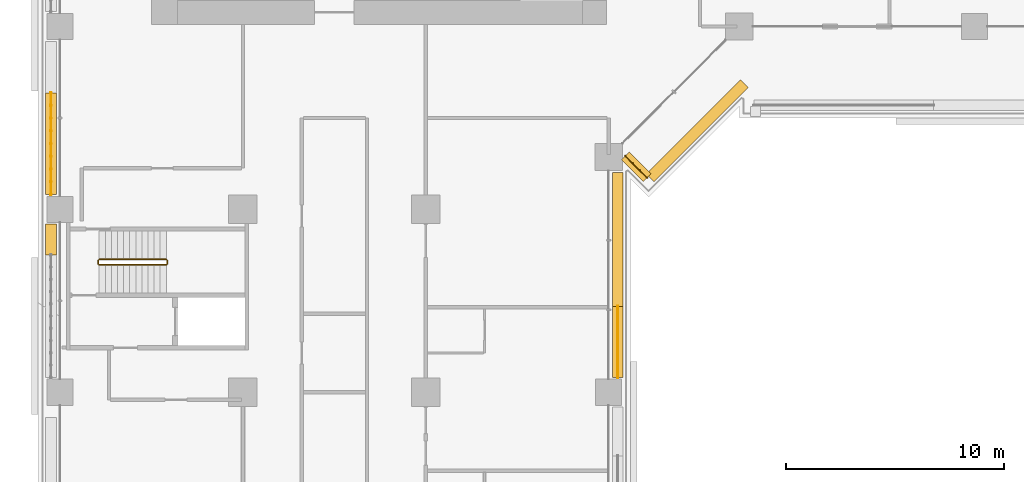
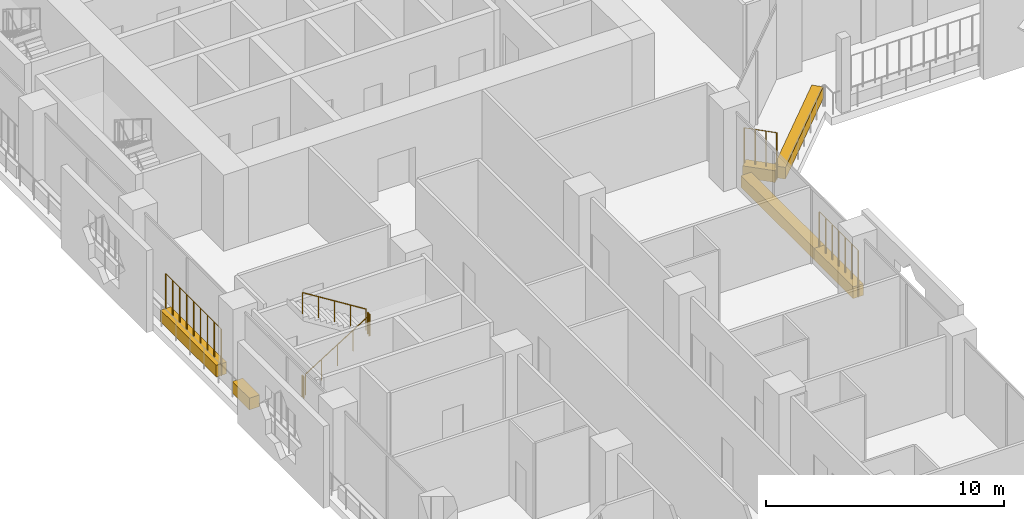
# One storey, part 22 of 28: 7 railings, 6 coverings.
"""IFC4 building model written with IfcOpenShell, lengths in metres."""

import ifcopenshell
import ifcopenshell.guid

model = None  # the IFC model being written
_history = None  # IfcOwnerHistory: only IFC2X3 demands one
_inside = {}  # id of a spatial element -> (the spatial element, [elements in it])
_under = {}  # id of a project, library or spatial element -> (it, [spatial elements below it])
_declared = {}  # id of a project -> (the project, [libraries it declares])
_typed = {}  # id of a type object -> (the type object, [elements of that type])
_made_of = {}  # id of a material, layer set ... -> (it, [elements and type objects made of it])


def new_model(schema):
    """Start an empty IFC model of exactly this schema.

    Asked for "IFC4X3", IfcOpenShell would pick the latest addendum, in which some entities
    have other attributes; the version numbers below select the first issue.
    IFC2X3 requires an IfcOwnerHistory on every rooted entity: one is made here for all.
    """
    global model, _history
    if schema == "IFC4X3":
        model = ifcopenshell.file(schema_version=(4, 3, 0, 0))
    else:
        model = ifcopenshell.file(schema=schema)
    _inside.clear()
    _under.clear()
    _declared.clear()
    _typed.clear()
    _made_of.clear()
    _history = None
    if model.schema == "IFC2X3":
        org = make("IfcOrganization", Name="unknown")
        user = make(
            "IfcPersonAndOrganization",
            ThePerson=make("IfcPerson", FamilyName="unknown"),
            TheOrganization=org,
        )
        app = make(
            "IfcApplication",
            ApplicationDeveloper=org,
            Version="unknown",
            ApplicationFullName="unknown",
            ApplicationIdentifier="unknown",
        )
        _history = make(
            "IfcOwnerHistory",
            OwningUser=user,
            OwningApplication=app,
            ChangeAction="ADDED",
            CreationDate=0,
        )
    return model


def make(cls, **values):
    """One entity of the class cls with the attributes given. An attribute that is None is left unset."""
    return model.create_entity(
        cls, **{name: value for name, value in values.items() if value is not None}
    )


def rooted(cls, **values):
    """An entity with a GlobalId (a new one), such as an element, a storey or a relation."""
    return make(cls, GlobalId=ifcopenshell.guid.new(), OwnerHistory=_history, **values)


def si_unit(unit_type, name, prefix=None):
    """IfcSIUnit, for example si_unit("LENGTHUNIT", "METRE", prefix="MILLI")."""
    return make("IfcSIUnit", UnitType=unit_type, Prefix=prefix, Name=name)


def assignment(units):
    """IfcUnitAssignment: the units of a project."""
    return None if units is None else make("IfcUnitAssignment", Units=units)


def point(xyz):
    """IfcCartesianPoint."""
    return None if xyz is None else make("IfcCartesianPoint", Coordinates=xyz)


def direction(xyz):
    """IfcDirection."""
    return None if xyz is None else make("IfcDirection", DirectionRatios=xyz)


def frame(location, z_axis=None, x_axis=None):
    """IfcAxis2Placement3D, a coordinate frame: its origin and axes. An axis left out is left unset."""
    return make(
        "IfcAxis2Placement3D",
        Location=point(location),
        Axis=direction(z_axis),
        RefDirection=direction(x_axis),
    )


def frame_2d(location, x_axis=None):
    """IfcAxis2Placement2D, a coordinate frame in the plane: its origin and x axis."""
    return make(
        "IfcAxis2Placement2D", Location=point(location), RefDirection=direction(x_axis)
    )


def origin():
    """The frame at (0, 0, 0) with its axes left unset."""
    return frame((0.0, 0.0, 0.0))


def origin_2d():
    """The frame at (0, 0) in the plane with its x axis left unset."""
    return frame_2d((0.0, 0.0))


def place(relative_to, where):
    """IfcLocalPlacement: puts the frame where relative to a parent placement (None: the world)."""
    return make(
        "IfcLocalPlacement", PlacementRelTo=relative_to, RelativePlacement=where
    )


def context(
    kind, dimensions, precision=None, world=None, true_north=None, identifier=None
):
    """IfcGeometricRepresentationContext, for example the 3D "Model" context."""
    return make(
        "IfcGeometricRepresentationContext",
        ContextIdentifier=identifier,
        ContextType=kind,
        CoordinateSpaceDimension=dimensions,
        Precision=precision,
        WorldCoordinateSystem=world,
        TrueNorth=true_north,
    )


def subcontext(parent, identifier, kind, view, scale=None):
    """IfcGeometricRepresentationSubContext, for example "Body" below "Model"."""
    return make(
        "IfcGeometricRepresentationSubContext",
        ContextIdentifier=identifier,
        ContextType=kind,
        ParentContext=parent,
        TargetScale=scale,
        TargetView=view,
    )


def project(units=None, contexts=None):
    """IfcProject with its units and contexts."""
    return rooted(
        "IfcProject",
        Name="project",
        RepresentationContexts=contexts,
        UnitsInContext=assignment(units),
    )


def spatial(cls, under=None, at=None, **own):
    """A site, building, storey or space (cls), placed at a placement, below another one or the project."""
    s = rooted(cls, ObjectPlacement=at, **own)
    if under is not None:
        _under.setdefault(under.id(), (under, []))[1].append(s)
    return s


def profile(cls, at=None, kind="AREA", **sizes):
    """A parametric profile (cls). Its sizes go by their IFC names, for example OverallWidth=200.0."""
    return make(cls, ProfileType=kind, Position=at, **sizes)


def rectangle(**sizes):
    """IfcRectangleProfileDef."""
    return profile("IfcRectangleProfileDef", **sizes)


def circle(**sizes):
    """IfcCircleProfileDef."""
    return profile("IfcCircleProfileDef", **sizes)


def extrude(swept, where, along, depth):
    """IfcExtrudedAreaSolid: the profile swept, set in the frame where, extruded along a direction by depth."""
    return make(
        "IfcExtrudedAreaSolid",
        SweptArea=swept,
        Position=where,
        ExtrudedDirection=direction(along),
        Depth=depth,
    )


def shape(context_of_items, identifier, shape_type, items):
    """IfcShapeRepresentation: the items that make up one representation, for example the "Body"."""
    return make(
        "IfcShapeRepresentation",
        ContextOfItems=context_of_items,
        RepresentationIdentifier=identifier,
        RepresentationType=shape_type,
        Items=items,
    )


def material(Name=None, Category=None):
    """IfcMaterial."""
    return make("IfcMaterial", Name=Name, Category=Category)


def material_profile(
    of_material, cross_section, Name=None, Category=None, Priority=None
):
    """IfcMaterialProfile: a cross section and its material."""
    return make(
        "IfcMaterialProfile",
        Name=Name,
        Material=of_material,
        Profile=cross_section,
        Priority=Priority,
        Category=Category,
    )


def profile_set(profiles, Name=None, composite=None):
    """IfcMaterialProfileSet."""
    return make(
        "IfcMaterialProfileSet",
        Name=Name,
        MaterialProfiles=profiles,
        CompositeProfile=composite,
    )


def made_of(thing, what):
    """Note that an element or type object is made of a material, layer set ...; save() writes the relation."""
    if what is not None:
        _made_of.setdefault(what.id(), (what, []))[1].append(thing)
    return thing


def type_object(cls, material=None, **own):
    """A type object (cls), such as IfcWallType, which elements share."""
    return made_of(rooted(cls, **own), material)


def element(
    cls,
    number,
    at=None,
    inside=None,
    cuts=None,
    type_object=None,
    material=None,
    context=None,
    identifier="Body",
    shape_type=None,
    held_by="IfcProductDefinitionShape",
    body=None,
    shapes=None,
    **own,
):
    """One element of the class cls, such as IfcWall. Its Tag is "e" and its number.

    at: its placement. inside: the storey or other place that contains it. cuts: it is an
    opening in that element (IfcRelVoidsElement). A single representation is given by context,
    identifier, shape_type and body (its items); several are given by shapes. held_by: the class
    of the entity that holds the representations. save() writes the other relations.
    """
    e = rooted(cls, Tag="e%d" % number, ObjectPlacement=at, **own)
    if body is not None:
        shapes = [shape(context, identifier, shape_type, body)]
    if shapes is not None:
        e.Representation = make(held_by, Representations=shapes)
    if inside is not None:
        _inside.setdefault(inside.id(), (inside, []))[1].append(e)
    if cuts is not None:
        rooted(
            "IfcRelVoidsElement", RelatingBuildingElement=cuts, RelatedOpeningElement=e
        )
    if type_object is not None:
        _typed.setdefault(type_object.id(), (type_object, []))[1].append(e)
    return made_of(e, material)


def aggregate(whole, parts):
    """IfcRelAggregates: a whole, such as a stair, and the parts it consists of."""
    return rooted("IfcRelAggregates", RelatingObject=whole, RelatedObjects=parts)


def save(model, path):
    """Write the relations noted so far, then the file.

    IfcRelAggregates (storeys below a building ...), IfcRelContainedInSpatialStructure (elements
    in a storey), IfcRelDefinesByType, IfcRelAssociatesMaterial and IfcRelDeclares: one each for
    every whole, place, type object, material and project.
    """
    for whole, parts in _under.values():
        aggregate(whole, parts)
    for where, things in _inside.values():
        rooted(
            "IfcRelContainedInSpatialStructure",
            RelatedElements=things,
            RelatingStructure=where,
        )
    for kind, things in _typed.values():
        rooted("IfcRelDefinesByType", RelatedObjects=things, RelatingType=kind)
    for what, things in _made_of.values():
        rooted("IfcRelAssociatesMaterial", RelatedObjects=things, RelatingMaterial=what)
    for by, libraries in _declared.values():
        rooted("IfcRelDeclares", RelatingContext=by, RelatedDefinitions=libraries)
    model.write(path)


model = new_model("IFC4")

# Units and contexts
model_context = context("Model", 3, precision=1e-05, world=origin(), true_north=direction((0.0, 1.0)))
body_context = subcontext(model_context, "Body", "Model", "MODEL_VIEW")
ifc_project = project(units=[si_unit("LENGTHUNIT", "METRE"), si_unit("AREAUNIT", "SQUARE_METRE"), si_unit("VOLUMEUNIT", "CUBIC_METRE"), si_unit("PLANEANGLEUNIT", "RADIAN"), si_unit("MASSUNIT", "GRAM", prefix="KILO")], contexts=[model_context])

# Site, building, storey
site_placement = place(None, origin())
site = spatial("IfcSite", under=ifc_project, at=site_placement, CompositionType="ELEMENT")
building_placement = place(site_placement, origin())
building = spatial("IfcBuilding", under=site, at=building_placement, Name="Kawkab Arch Medical Tower", CompositionType="ELEMENT")
storey_placement = place(building_placement, frame((0.0, 0.0, 68.60009765625)))
storey = spatial("IfcBuildingStorey", under=building, at=storey_placement, Name="L15", CompositionType="ELEMENT", Elevation=68.60009765625)

# Coverings
ifc_material_1 = material(Name="Planting soil in a precast trough", Category="concrete")
ifc_material_profile = material_profile(ifc_material_1, rectangle(XDim=0.5, YDim=0.60009765625, at=origin_2d()), Name="Trough 500x600")
ifc_profile_set = profile_set([ifc_material_profile], Name="Planting soil in a precast trough")
covering_type = type_object("IfcCoveringType", Name="Planter trough 500 x 600", PredefinedType="USERDEFINED", material=ifc_profile_set)
covering_1_placement = place(storey_placement, frame((-0.419921875, -35.699951171875, 0.2998046875), z_axis=(0.0, 1.0, 0.0), x_axis=(-1.0, 0.0, 0.0)))
element("IfcCovering", 1, at=covering_1_placement, inside=storey, type_object=covering_type, Name="Planter L15.LOG-01-01.10", ObjectType="PLANTER", PredefinedType="USERDEFINED", context=body_context, shape_type="SweptSolid", body=[
    extrude(rectangle(XDim=0.5, YDim=0.60009765625, at=origin_2d()), origin(), (0.0, 0.0, 1.0), 1.419921875),
])
covering_2_placement = place(storey_placement, frame((-0.419921875, -32.919921875, 0.2998046875), z_axis=(0.0, 1.0, 0.0), x_axis=(-1.0, 0.0, 0.0)))
element("IfcCovering", 2, at=covering_2_placement, inside=storey, type_object=covering_type, Name="Planter L15.LOG-01-01.11", ObjectType="PLANTER", PredefinedType="USERDEFINED", context=body_context, shape_type="SweptSolid", body=[
    extrude(rectangle(XDim=0.5, YDim=0.60009765625, at=origin_2d()), origin(), (0.0, 0.0, 1.0), 4.676025390625),
])
covering_3_placement = place(storey_placement, frame((31.43701171875, -27.820068359375, 0.2998046875), z_axis=(-0.707206504313, -0.707007043994, 0.0), x_axis=(0.707007043994, -0.707206504313, 0.0)))
element("IfcCovering", 3, at=covering_3_placement, inside=storey, type_object=covering_type, Name="Planter L15.LOG-01-01.42", ObjectType="PLANTER", PredefinedType="USERDEFINED", context=body_context, shape_type="SweptSolid", body=[
    extrude(rectangle(XDim=0.5, YDim=0.60009765625, at=origin_2d()), origin(), (0.0, 0.0, 1.0), 6.1201171875),
])
covering_4_placement = place(storey_placement, frame((26.967041015625, -32.14697265625, 0.2998046875), z_axis=(-0.707192746389, 0.707020805532, 0.0), x_axis=(-0.707020805532, -0.707192746389, 0.0)))
element("IfcCovering", 4, at=covering_4_placement, inside=storey, type_object=covering_type, Name="Planter L15.LOG-01-01.43", ObjectType="PLANTER", PredefinedType="USERDEFINED", context=body_context, shape_type="SweptSolid", body=[
    extrude(rectangle(XDim=0.5, YDim=0.60009765625, at=origin_2d()), origin(), (0.0, 0.0, 1.0), 1.419921875),
])
covering_5_placement = place(storey_placement, frame((25.6201171875, -31.905029296875, 0.2998046875), z_axis=(0.0, -1.0, 0.0), x_axis=(1.0, 0.0, 0.0)))
element("IfcCovering", 5, at=covering_5_placement, inside=storey, type_object=covering_type, Name="Planter L15.LOG-01-01.44", ObjectType="PLANTER", PredefinedType="USERDEFINED", context=body_context, shape_type="SweptSolid", body=[
    extrude(rectangle(XDim=0.5, YDim=0.60009765625, at=origin_2d()), origin(), (0.0, 0.0, 1.0), 6.14794921875),
])
covering_6_placement = place(storey_placement, frame((25.6201171875, -38.052978515625, 0.2998046875), z_axis=(0.0, -1.0, 0.0), x_axis=(1.0, 0.0, 0.0)))
element("IfcCovering", 6, at=covering_6_placement, inside=storey, type_object=covering_type, Name="Planter L15.LOG-01-01.45", ObjectType="PLANTER", PredefinedType="USERDEFINED", context=body_context, shape_type="SweptSolid", body=[
    extrude(rectangle(XDim=0.5, YDim=0.60009765625, at=origin_2d()), origin(), (0.0, 0.0, 1.0), 3.26708984375),
])

# Railings
ifc_material_2 = material(Name="Bronze anodised aluminium trellis for climbing plants", Category="aluminium")
railing_type_1 = type_object("IfcRailingType", Name="Planting trellis 2400", PredefinedType="USERDEFINED", material=ifc_material_2)
railing_1_placement = place(storey_placement, frame((-0.419921875, -32.919921875, 0.0)))
element("IfcRailing", 7, at=railing_1_placement, inside=storey, type_object=railing_type_1, Name="Planting trellis L15.LOG-01-01.11", ObjectType="TRELLIS", PredefinedType="USERDEFINED", context=body_context, shape_type="SweptSolid", body=[
    extrude(circle(Radius=0.01513671875, at=origin_2d()), frame((0.0, 0.0, 2.384765625), z_axis=(0.0, 1.0, 0.0), x_axis=(-1.0, 0.0, 0.0)), (0.0, 0.0, 1.0), 4.676025390625),
    extrude(circle(Radius=0.030029296875, at=origin_2d()), origin(), (0.0, 0.0, 1.0), 2.369873046875),
    extrude(circle(Radius=0.030029296875, at=origin_2d()), frame((0.0, 0.58447265625, 0.0)), (0.0, 0.0, 1.0), 2.369873046875),
    extrude(circle(Radius=0.030029296875, at=origin_2d()), frame((0.0, 1.1689453125, 0.0)), (0.0, 0.0, 1.0), 2.369873046875),
    extrude(circle(Radius=0.030029296875, at=origin_2d()), frame((0.0, 1.75341796875, 0.0)), (0.0, 0.0, 1.0), 2.369873046875),
    extrude(circle(Radius=0.030029296875, at=origin_2d()), frame((0.0, 2.337890625, 0.0)), (0.0, 0.0, 1.0), 2.369873046875),
    extrude(circle(Radius=0.030029296875, at=origin_2d()), frame((0.0, 2.922607421875, 0.0)), (0.0, 0.0, 1.0), 2.369873046875),
    extrude(circle(Radius=0.030029296875, at=origin_2d()), frame((0.0, 3.507080078125, 0.0)), (0.0, 0.0, 1.0), 2.369873046875),
    extrude(circle(Radius=0.030029296875, at=origin_2d()), frame((0.0, 4.091552734375, 0.0)), (0.0, 0.0, 1.0), 2.369873046875),
    extrude(circle(Radius=0.030029296875, at=origin_2d()), frame((0.0, 4.676025390625, 0.0)), (0.0, 0.0, 1.0), 2.369873046875),
])
railing_2_placement = place(storey_placement, frame((26.967041015625, -32.14697265625, 0.0)))
element("IfcRailing", 8, at=railing_2_placement, inside=storey, type_object=railing_type_1, Name="Planting trellis L15.LOG-01-01.43", ObjectType="TRELLIS", PredefinedType="USERDEFINED", context=body_context, shape_type="SweptSolid", body=[
    extrude(circle(Radius=0.01513671875, at=origin_2d()), frame((0.0, 0.0, 2.384765625), z_axis=(-0.707192746389, 0.707020805532, 0.0), x_axis=(-0.707020805532, -0.707192746389, 0.0)), (0.0, 0.0, 1.0), 1.419921875),
    extrude(circle(Radius=0.030029296875, at=origin_2d()), origin(), (0.0, 0.0, 1.0), 2.369873046875),
    extrude(circle(Radius=0.030029296875, at=origin_2d()), frame((-0.334716796875, 0.334716796875, 0.0)), (0.0, 0.0, 1.0), 2.369873046875),
    extrude(circle(Radius=0.030029296875, at=origin_2d()), frame((-0.66943359375, 0.669189453125, 0.0)), (0.0, 0.0, 1.0), 2.369873046875),
    extrude(circle(Radius=0.030029296875, at=origin_2d()), frame((-1.004150390625, 1.00390625, 0.0)), (0.0, 0.0, 1.0), 2.369873046875),
])
railing_3_placement = place(storey_placement, frame((25.6201171875, -38.052978515625, 0.0)))
element("IfcRailing", 9, at=railing_3_placement, inside=storey, type_object=railing_type_1, Name="Planting trellis L15.LOG-01-01.45", ObjectType="TRELLIS", PredefinedType="USERDEFINED", context=body_context, shape_type="SweptSolid", body=[
    extrude(circle(Radius=0.01513671875, at=origin_2d()), frame((0.0, 0.0, 2.384765625), z_axis=(0.0, -1.0, 0.0), x_axis=(1.0, 0.0, 0.0)), (0.0, 0.0, 1.0), 3.26708984375),
    extrude(circle(Radius=0.030029296875, at=origin_2d()), origin(), (0.0, 0.0, 1.0), 2.369873046875),
    extrude(circle(Radius=0.030029296875, at=origin_2d()), frame((0.0, -0.54443359375, 0.0)), (0.0, 0.0, 1.0), 2.369873046875),
    extrude(circle(Radius=0.030029296875, at=origin_2d()), frame((0.0, -1.089111328125, 0.0)), (0.0, 0.0, 1.0), 2.369873046875),
    extrude(circle(Radius=0.030029296875, at=origin_2d()), frame((0.0, -1.633544921875, 0.0)), (0.0, 0.0, 1.0), 2.369873046875),
    extrude(circle(Radius=0.030029296875, at=origin_2d()), frame((0.0, -2.177978515625, 0.0)), (0.0, 0.0, 1.0), 2.369873046875),
    extrude(circle(Radius=0.030029296875, at=origin_2d()), frame((0.0, -2.72265625, 0.0)), (0.0, 0.0, 1.0), 2.369873046875),
    extrude(circle(Radius=0.030029296875, at=origin_2d()), frame((0.0, -3.26708984375, 0.0)), (0.0, 0.0, 1.0), 2.369873046875),
])
ifc_material_3 = material(Name="Stainless steel", Category="steel")
railing_type_2 = type_object("IfcRailingType", Name="Stair guard 1100", PredefinedType="GUARDRAIL", material=ifc_material_3)
railing_4_placement = place(storey_placement, frame((1.800048828125, -36.14990234375, 0.1748046875)))
element("IfcRailing", 10, at=railing_4_placement, inside=storey, type_object=railing_type_2, Name="L15 ST6 stair guard 1", PredefinedType="GUARDRAIL", context=body_context, shape_type="SweptSolid", body=[
    extrude(circle(Radius=0.02392578125, at=origin_2d()), frame((0.0, 0.0, 1.076171875), z_axis=(0.847979421464, 0.0, 0.530029150871), x_axis=(0.0, 1.0, 0.0)), (0.0, 0.0, 1.0), 3.632080078125),
    extrude(circle(Radius=0.02099609375, at=origin_2d()), origin(), (0.0, 0.0, 1.0), 1.052001953125),
    extrude(circle(Radius=0.02099609375, at=origin_2d()), frame((0.77001953125, 0.0, 0.481201171875)), (0.0, 0.0, 1.0), 1.052001953125),
    extrude(circle(Radius=0.02099609375, at=origin_2d()), frame((1.5400390625, 0.0, 0.96240234375)), (0.0, 0.0, 1.0), 1.052001953125),
    extrude(circle(Radius=0.02099609375, at=origin_2d()), frame((2.309814453125, 0.0, 1.44384765625)), (0.0, 0.0, 1.0), 1.052001953125),
    extrude(circle(Radius=0.02099609375, at=origin_2d()), frame((3.079833984375, 0.0, 1.925048828125)), (0.0, 0.0, 1.0), 1.052001953125),
])
railing_5_placement = place(storey_placement, frame((4.929931640625, -36.10009765625, 2.099853515625)))
element("IfcRailing", 11, at=railing_5_placement, inside=storey, type_object=railing_type_2, Name="L15 ST6 stair guard 2", PredefinedType="GUARDRAIL", context=body_context, shape_type="SweptSolid", body=[
    extrude(circle(Radius=0.02392578125, at=origin_2d()), frame((0.0, 0.0, 1.076171875), z_axis=(0.0, 1.0, 0.0), x_axis=(-1.0, 0.0, 0.0)), (0.0, 0.0, 1.0), 0.150146484375),
    extrude(circle(Radius=0.02099609375, at=origin_2d()), origin(), (0.0, 0.0, 1.0), 1.052001953125),
    extrude(circle(Radius=0.02099609375, at=origin_2d()), frame((0.0, 0.150146484375, 0.0)), (0.0, 0.0, 1.0), 1.052001953125),
])
railing_6_placement = place(storey_placement, frame((4.8798828125, -35.89990234375, 2.27490234375)))
element("IfcRailing", 12, at=railing_6_placement, inside=storey, type_object=railing_type_2, Name="L15 ST6 stair guard 3", PredefinedType="GUARDRAIL", context=body_context, shape_type="SweptSolid", body=[
    extrude(circle(Radius=0.02392578125, at=origin_2d()), frame((0.0, 0.0, 1.076171875), z_axis=(-0.847979421464, 0.0, 0.530029150871), x_axis=(0.0, -1.0, 0.0)), (0.0, 0.0, 1.0), 3.632080078125),
    extrude(circle(Radius=0.02099609375, at=origin_2d()), origin(), (0.0, 0.0, 1.0), 1.052001953125),
    extrude(circle(Radius=0.02099609375, at=origin_2d()), frame((-0.77001953125, 0.0, 0.481201171875)), (0.0, 0.0, 1.0), 1.052001953125),
    extrude(circle(Radius=0.02099609375, at=origin_2d()), frame((-1.5400390625, 0.0, 0.96240234375)), (0.0, 0.0, 1.0), 1.052001953125),
    extrude(circle(Radius=0.02099609375, at=origin_2d()), frame((-2.309814453125, 0.0, 1.44384765625)), (0.0, 0.0, 1.0), 1.052001953125),
    extrude(circle(Radius=0.02099609375, at=origin_2d()), frame((-3.079833984375, 0.0, 1.925048828125)), (0.0, 0.0, 1.0), 1.052001953125),
])
railing_7_placement = place(storey_placement, frame((1.75, -36.10009765625, 0.0)))
element("IfcRailing", 13, at=railing_7_placement, inside=storey, type_object=railing_type_2, Name="L15 ST6 stair guard 4", PredefinedType="GUARDRAIL", context=body_context, shape_type="SweptSolid", body=[
    extrude(circle(Radius=0.02392578125, at=origin_2d()), frame((0.0, 0.0, 1.076171875), z_axis=(0.0, 1.0, 0.0), x_axis=(-1.0, 0.0, 0.0)), (0.0, 0.0, 1.0), 0.150146484375),
    extrude(circle(Radius=0.02099609375, at=origin_2d()), origin(), (0.0, 0.0, 1.0), 1.052001953125),
    extrude(circle(Radius=0.02099609375, at=origin_2d()), frame((0.0, 0.150146484375, 0.0)), (0.0, 0.0, 1.0), 1.052001953125),
])

save(model, "model.ifc")
